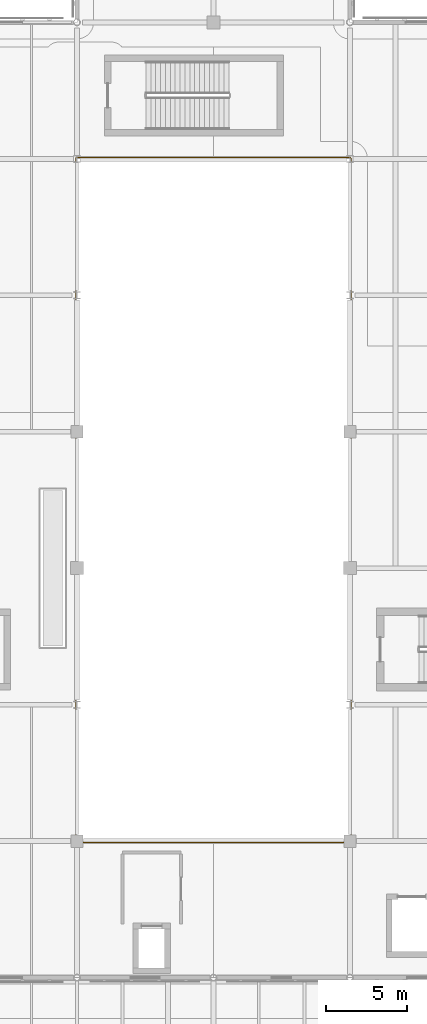
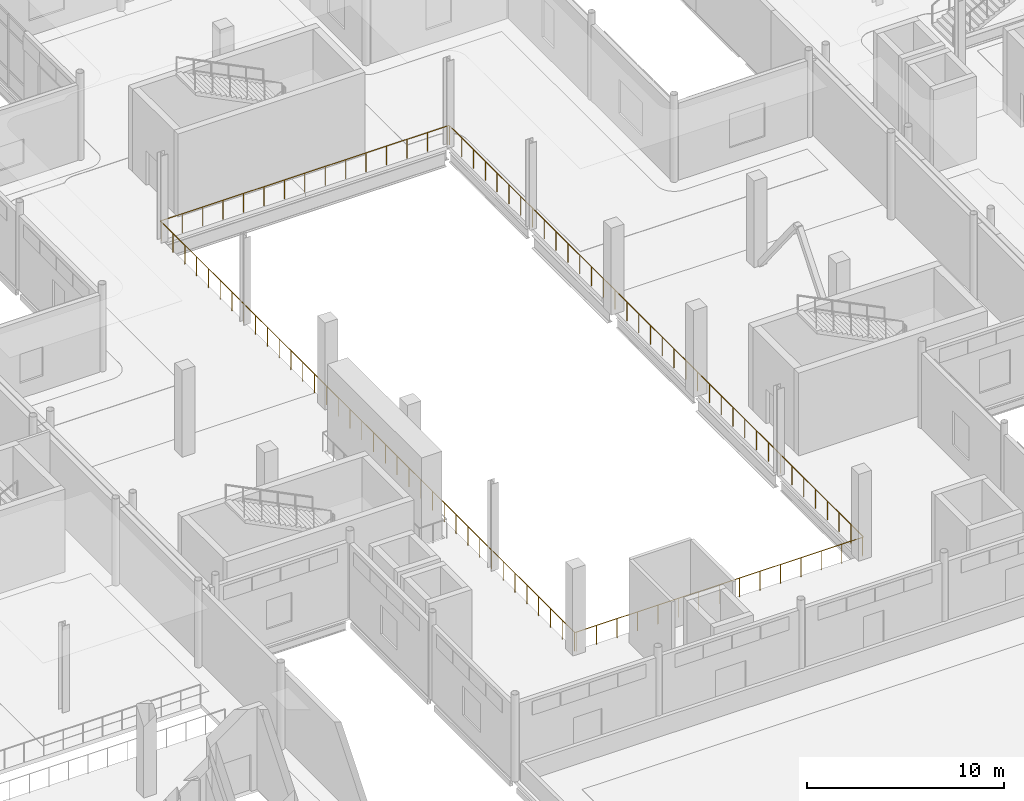
# One storey, part 99 of 110: 1 railing.
"""IFC4 building model written with IfcOpenShell, lengths in metres."""

from ifc_helpers import new_model, si_unit, direction, frame, origin, origin_2d, place, context, subcontext, project, spatial, circle, extrude, material, type_object, element, save


model = new_model("IFC4")

# Units and contexts
model_context = context("Model", 3, precision=1e-05, world=origin(), true_north=direction((0.0, 1.0)))
body_context = subcontext(model_context, "Body", "Model", "MODEL_VIEW")
ifc_project = project(units=[si_unit("LENGTHUNIT", "METRE"), si_unit("AREAUNIT", "SQUARE_METRE"), si_unit("VOLUMEUNIT", "CUBIC_METRE"), si_unit("PLANEANGLEUNIT", "RADIAN"), si_unit("MASSUNIT", "GRAM", prefix="KILO"), si_unit("THERMODYNAMICTEMPERATUREUNIT", "KELVIN")], contexts=[model_context])

# Site, building, storey
site_placement = place(None, origin())
site = spatial("IfcSite", under=ifc_project, at=site_placement, CompositionType="ELEMENT")
building_placement = place(site_placement, origin())
building = spatial("IfcBuilding", under=site, at=building_placement, Name="Lustrewick Department Store", CompositionType="ELEMENT")
storey_placement = place(building_placement, frame((0.0, 0.0, 6.0)))
storey = spatial("IfcBuildingStorey", under=building, at=storey_placement, Name="L02", CompositionType="ELEMENT", Elevation=6.0)

# Railing
ifc_material = material(Name="Laminated safety glass and bronze atrium balustrade", Category="glass")
railing_type = type_object("IfcRailingType", Name="RL-BAL", PredefinedType="BALUSTRADE", material=ifc_material)
railing_placement = place(storey_placement, frame((92.39990234375, 50.320068359375, 0.0)))
element("IfcRailing", 1, at=railing_placement, inside=storey, type_object=railing_type, Name="L02 Arcade Gallery Balustrade 0014", PredefinedType="BALUSTRADE", context=body_context, shape_type="SweptSolid", body=[
    extrude(circle(Radius=0.02392578125, at=origin_2d()), frame((0.0, 0.0, 1.17578125), z_axis=(-1.0, 0.0, 0.0), x_axis=(0.0, -1.0, 0.0)), (0.0, 0.0, 1.0), 16.7998046875),
    extrude(circle(Radius=0.02392578125, at=origin_2d()), frame((-16.7998046875, 0.0, 1.17578125), z_axis=(-0.999512076087, 0.031234752378, 0.0), x_axis=(-0.031234752378, -0.999512076087, 0.0)), (0.0, 0.0, 1.0), 0.0078125),
    extrude(circle(Radius=0.02392578125, at=origin_2d()), frame((-16.8076171875, 0.000244140625, 1.17578125), z_axis=(-0.988012033751, 0.154376880274, 0.0), x_axis=(-0.154376880274, -0.988012033751, 0.0)), (0.0, 0.0, 1.0), 0.0078125),
    extrude(circle(Radius=0.02392578125, at=origin_2d()), frame((-16.8154296875, 0.00146484375, 1.17578125), z_axis=(-0.968277323709, 0.249878019022, 0.0), x_axis=(-0.249878019022, -0.968277323709, 0.0)), (0.0, 0.0, 1.0), 0.0078125),
    extrude(circle(Radius=0.02392578125, at=origin_2d()), frame((-16.822998046875, 0.00341796875, 1.17578125), z_axis=(-0.942427745481, 0.334409845171, 0.0), x_axis=(-0.334409845171, -0.942427745481, 0.0)), (0.0, 0.0, 1.0), 0.008056640625),
    extrude(circle(Radius=0.02392578125, at=origin_2d()), frame((-16.83056640625, 0.006103515625, 1.17578125), z_axis=(-0.912509324515, 0.409055904093, 0.0), x_axis=(-0.409055904093, -0.912509324515, 0.0)), (0.0, 0.0, 1.0), 0.0078125),
    extrude(circle(Radius=0.02392578125, at=origin_2d()), frame((-16.837646484375, 0.00927734375, 1.17578125), z_axis=(-0.84623284009, 0.532813269686, 0.0), x_axis=(-0.532813269686, -0.84623284009, 0.0)), (0.0, 0.0, 1.0), 0.0078125),
    extrude(circle(Radius=0.02392578125, at=origin_2d()), frame((-16.84423828125, 0.013427734375, 1.17578125), z_axis=(-0.807391122258, 0.590016589342, 0.0), x_axis=(-0.590016589342, -0.807391122258, 0.0)), (0.0, 0.0, 1.0), 0.0078125),
    extrude(circle(Radius=0.02392578125, at=origin_2d()), frame((-16.8505859375, 0.01806640625, 1.17578125), z_axis=(-0.737154140201, 0.675724628517, 0.0), x_axis=(-0.675724628517, -0.737154140201, 0.0)), (0.0, 0.0, 1.0), 0.008056640625),
    extrude(circle(Radius=0.02392578125, at=origin_2d()), frame((-16.8564453125, 0.0234375, 1.17578125), z_axis=(-0.691222645967, 0.722641857148, 0.0), x_axis=(-0.722641857148, -0.691222645967, 0.0)), (0.0, 0.0, 1.0), 0.0078125),
    extrude(circle(Radius=0.02392578125, at=origin_2d()), frame((-16.86181640625, 0.029052734375, 1.17578125), z_axis=(-0.575493406175, 0.817806419301, 0.0), x_axis=(-0.817806419301, -0.575493406175, 0.0)), (0.0, 0.0, 1.0), 0.008056640625),
    extrude(circle(Radius=0.02392578125, at=origin_2d()), frame((-16.866455078125, 0.03564453125, 1.17578125), z_axis=(-0.532813269686, 0.84623284009, 0.0), x_axis=(-0.84623284009, -0.532813269686, 0.0)), (0.0, 0.0, 1.0), 0.0078125),
    extrude(circle(Radius=0.02392578125, at=origin_2d()), frame((-16.87060546875, 0.042236328125, 1.17578125), z_axis=(-0.409055904093, 0.912509324515, 0.0), x_axis=(-0.912509324515, -0.409055904093, 0.0)), (0.0, 0.0, 1.0), 0.0078125),
    extrude(circle(Radius=0.02392578125, at=origin_2d()), frame((-16.873779296875, 0.04931640625, 1.17578125), z_axis=(-0.344254649158, 0.938876315887, 0.0), x_axis=(-0.938876315887, -0.344254649158, 0.0)), (0.0, 0.0, 1.0), 0.0078125),
    extrude(circle(Radius=0.02392578125, at=origin_2d()), frame((-16.87646484375, 0.056640625, 1.17578125), z_axis=(-0.242535625036, 0.970142500145, 0.0), x_axis=(-0.970142500145, -0.242535625036, 0.0)), (0.0, 0.0, 1.0), 0.008056640625),
    extrude(circle(Radius=0.02392578125, at=origin_2d()), frame((-16.87841796875, 0.064453125, 1.17578125), z_axis=(-0.12797133763, 0.991777866634, 0.0), x_axis=(-0.991777866634, -0.12797133763, 0.0)), (0.0, 0.0, 1.0), 0.007568359375),
    extrude(circle(Radius=0.02392578125, at=origin_2d()), frame((-16.87939453125, 0.072021484375, 1.17578125), z_axis=(-0.062378286155, 0.998052578483, 0.0), x_axis=(-0.998052578483, -0.062378286155, 0.0)), (0.0, 0.0, 1.0), 0.0078125),
    extrude(circle(Radius=0.02392578125, at=origin_2d()), frame((-16.8798828125, 0.079833984375, 1.17578125), z_axis=(0.0, 1.0, 0.0), x_axis=(-1.0, 0.0, 0.0)), (0.0, 0.0, 1.0), 42.0),
    extrude(circle(Radius=0.02392578125, at=origin_2d()), frame((-16.8798828125, 42.079833984375, 1.17578125), z_axis=(0.062378286155, 0.998052578483, 0.0), x_axis=(-0.998052578483, 0.062378286155, 0.0)), (0.0, 0.0, 1.0), 0.0078125),
    extrude(circle(Radius=0.02392578125, at=origin_2d()), frame((-16.87939453125, 42.087646484375, 1.17578125), z_axis=(0.124034734589, 0.992277876714, 0.0), x_axis=(-0.992277876714, 0.124034734589, 0.0)), (0.0, 0.0, 1.0), 0.0078125),
    extrude(circle(Radius=0.02392578125, at=origin_2d()), frame((-16.87841796875, 42.095458984375, 1.17578125), z_axis=(0.249878019022, 0.968277323709, 0.0), x_axis=(-0.968277323709, 0.249878019022, 0.0)), (0.0, 0.0, 1.0), 0.0078125),
    extrude(circle(Radius=0.02392578125, at=origin_2d()), frame((-16.87646484375, 42.10302734375, 1.17578125), z_axis=(0.334409845171, 0.942427745481, 0.0), x_axis=(-0.942427745481, 0.334409845171, 0.0)), (0.0, 0.0, 1.0), 0.008056640625),
    extrude(circle(Radius=0.02392578125, at=origin_2d()), frame((-16.873779296875, 42.110595703125, 1.17578125), z_axis=(0.409055904093, 0.912509324515, 0.0), x_axis=(-0.912509324515, 0.409055904093, 0.0)), (0.0, 0.0, 1.0), 0.0078125),
    extrude(circle(Radius=0.02392578125, at=origin_2d()), frame((-16.87060546875, 42.11767578125, 1.17578125), z_axis=(0.532813269686, 0.84623284009, 0.0), x_axis=(-0.84623284009, 0.532813269686, 0.0)), (0.0, 0.0, 1.0), 0.0078125),
    extrude(circle(Radius=0.02392578125, at=origin_2d()), frame((-16.866455078125, 42.124267578125, 1.17578125), z_axis=(0.590016589342, 0.807391122258, 0.0), x_axis=(-0.807391122258, 0.590016589342, 0.0)), (0.0, 0.0, 1.0), 0.0078125),
    extrude(circle(Radius=0.02392578125, at=origin_2d()), frame((-16.86181640625, 42.130615234375, 1.17578125), z_axis=(0.675724628517, 0.737154140201, 0.0), x_axis=(-0.737154140201, 0.675724628517, 0.0)), (0.0, 0.0, 1.0), 0.008056640625),
    extrude(circle(Radius=0.02392578125, at=origin_2d()), frame((-16.8564453125, 42.136474609375, 1.17578125), z_axis=(0.737154140201, 0.675724628517, 0.0), x_axis=(-0.675724628517, 0.737154140201, 0.0)), (0.0, 0.0, 1.0), 0.008056640625),
    extrude(circle(Radius=0.02392578125, at=origin_2d()), frame((-16.8505859375, 42.141845703125, 1.17578125), z_axis=(0.807391122258, 0.590016589342, 0.0), x_axis=(-0.590016589342, 0.807391122258, 0.0)), (0.0, 0.0, 1.0), 0.0078125),
    extrude(circle(Radius=0.02392578125, at=origin_2d()), frame((-16.84423828125, 42.146484375, 1.17578125), z_axis=(0.84623284009, 0.532813269686, 0.0), x_axis=(-0.532813269686, 0.84623284009, 0.0)), (0.0, 0.0, 1.0), 0.0078125),
    extrude(circle(Radius=0.02392578125, at=origin_2d()), frame((-16.837646484375, 42.150634765625, 1.17578125), z_axis=(0.912509324515, 0.409055904093, 0.0), x_axis=(-0.409055904093, 0.912509324515, 0.0)), (0.0, 0.0, 1.0), 0.0078125),
    extrude(circle(Radius=0.02392578125, at=origin_2d()), frame((-16.83056640625, 42.15380859375, 1.17578125), z_axis=(0.942427745481, 0.334409845171, 0.0), x_axis=(-0.334409845171, 0.942427745481, 0.0)), (0.0, 0.0, 1.0), 0.008056640625),
    extrude(circle(Radius=0.02392578125, at=origin_2d()), frame((-16.822998046875, 42.156494140625, 1.17578125), z_axis=(0.968277323709, 0.249878019022, 0.0), x_axis=(-0.249878019022, 0.968277323709, 0.0)), (0.0, 0.0, 1.0), 0.0078125),
    extrude(circle(Radius=0.02392578125, at=origin_2d()), frame((-16.8154296875, 42.158447265625, 1.17578125), z_axis=(0.992277876714, 0.124034734589, 0.0), x_axis=(-0.124034734589, 0.992277876714, 0.0)), (0.0, 0.0, 1.0), 0.0078125),
    extrude(circle(Radius=0.02392578125, at=origin_2d()), frame((-16.8076171875, 42.159423828125, 1.17578125), z_axis=(0.998052578483, 0.062378286155, 0.0), x_axis=(-0.062378286155, 0.998052578483, 0.0)), (0.0, 0.0, 1.0), 0.0078125),
    extrude(circle(Radius=0.02392578125, at=origin_2d()), frame((-16.7998046875, 42.159912109375, 1.17578125), z_axis=(1.0, 0.0, 0.0), x_axis=(0.0, 1.0, 0.0)), (0.0, 0.0, 1.0), 16.7998046875),
    extrude(circle(Radius=0.02392578125, at=origin_2d()), frame((0.0, 42.159912109375, 1.17578125), z_axis=(0.998052578483, -0.062378286155, 0.0), x_axis=(0.062378286155, 0.998052578483, 0.0)), (0.0, 0.0, 1.0), 0.0078125),
    extrude(circle(Radius=0.02392578125, at=origin_2d()), frame((0.0078125, 42.159423828125, 1.17578125), z_axis=(0.992277876714, -0.124034734589, 0.0), x_axis=(0.124034734589, 0.992277876714, 0.0)), (0.0, 0.0, 1.0), 0.0078125),
    extrude(circle(Radius=0.02392578125, at=origin_2d()), frame((0.015625, 42.158447265625, 1.17578125), z_axis=(0.968277323709, -0.249878019022, 0.0), x_axis=(0.249878019022, 0.968277323709, 0.0)), (0.0, 0.0, 1.0), 0.0078125),
    extrude(circle(Radius=0.02392578125, at=origin_2d()), frame((0.023193359375, 42.156494140625, 1.17578125), z_axis=(0.942427745481, -0.334409845171, 0.0), x_axis=(0.334409845171, 0.942427745481, 0.0)), (0.0, 0.0, 1.0), 0.008056640625),
    extrude(circle(Radius=0.02392578125, at=origin_2d()), frame((0.03076171875, 42.15380859375, 1.17578125), z_axis=(0.912509324515, -0.409055904093, 0.0), x_axis=(0.409055904093, 0.912509324515, 0.0)), (0.0, 0.0, 1.0), 0.0078125),
    extrude(circle(Radius=0.02392578125, at=origin_2d()), frame((0.037841796875, 42.150634765625, 1.17578125), z_axis=(0.84623284009, -0.532813269686, 0.0), x_axis=(0.532813269686, 0.84623284009, 0.0)), (0.0, 0.0, 1.0), 0.0078125),
    extrude(circle(Radius=0.02392578125, at=origin_2d()), frame((0.04443359375, 42.146484375, 1.17578125), z_axis=(0.807391122258, -0.590016589342, 0.0), x_axis=(0.590016589342, 0.807391122258, 0.0)), (0.0, 0.0, 1.0), 0.0078125),
    extrude(circle(Radius=0.02392578125, at=origin_2d()), frame((0.05078125, 42.141845703125, 1.17578125), z_axis=(0.737154140201, -0.675724628517, 0.0), x_axis=(0.675724628517, 0.737154140201, 0.0)), (0.0, 0.0, 1.0), 0.008056640625),
    extrude(circle(Radius=0.02392578125, at=origin_2d()), frame((0.056640625, 42.136474609375, 1.17578125), z_axis=(0.675724628517, -0.737154140201, 0.0), x_axis=(0.737154140201, 0.675724628517, 0.0)), (0.0, 0.0, 1.0), 0.008056640625),
    extrude(circle(Radius=0.02392578125, at=origin_2d()), frame((0.06201171875, 42.130615234375, 1.17578125), z_axis=(0.590016589342, -0.807391122258, 0.0), x_axis=(0.807391122258, 0.590016589342, 0.0)), (0.0, 0.0, 1.0), 0.0078125),
    extrude(circle(Radius=0.02392578125, at=origin_2d()), frame((0.066650390625, 42.124267578125, 1.17578125), z_axis=(0.532813269686, -0.84623284009, 0.0), x_axis=(0.84623284009, 0.532813269686, 0.0)), (0.0, 0.0, 1.0), 0.0078125),
    extrude(circle(Radius=0.02392578125, at=origin_2d()), frame((0.07080078125, 42.11767578125, 1.17578125), z_axis=(0.409055904093, -0.912509324515, 0.0), x_axis=(0.912509324515, 0.409055904093, 0.0)), (0.0, 0.0, 1.0), 0.0078125),
    extrude(circle(Radius=0.02392578125, at=origin_2d()), frame((0.073974609375, 42.110595703125, 1.17578125), z_axis=(0.334409845171, -0.942427745481, 0.0), x_axis=(0.942427745481, 0.334409845171, 0.0)), (0.0, 0.0, 1.0), 0.008056640625),
    extrude(circle(Radius=0.02392578125, at=origin_2d()), frame((0.07666015625, 42.10302734375, 1.17578125), z_axis=(0.249878019022, -0.968277323709, 0.0), x_axis=(0.968277323709, 0.249878019022, 0.0)), (0.0, 0.0, 1.0), 0.0078125),
    extrude(circle(Radius=0.02392578125, at=origin_2d()), frame((0.07861328125, 42.095458984375, 1.17578125), z_axis=(0.124034734589, -0.992277876714, 0.0), x_axis=(0.992277876714, 0.124034734589, 0.0)), (0.0, 0.0, 1.0), 0.0078125),
    extrude(circle(Radius=0.02392578125, at=origin_2d()), frame((0.07958984375, 42.087646484375, 1.17578125), z_axis=(0.062378286155, -0.998052578483, 0.0), x_axis=(0.998052578483, 0.062378286155, 0.0)), (0.0, 0.0, 1.0), 0.0078125),
    extrude(circle(Radius=0.02392578125, at=origin_2d()), frame((0.080078125, 42.079833984375, 1.17578125), z_axis=(0.0, -1.0, 0.0), x_axis=(1.0, 0.0, 0.0)), (0.0, 0.0, 1.0), 42.0),
    extrude(circle(Radius=0.02392578125, at=origin_2d()), frame((0.080078125, 0.079833984375, 1.17578125), z_axis=(-0.062378286155, -0.998052578483, 0.0), x_axis=(0.998052578483, -0.062378286155, 0.0)), (0.0, 0.0, 1.0), 0.0078125),
    extrude(circle(Radius=0.02392578125, at=origin_2d()), frame((0.07958984375, 0.072021484375, 1.17578125), z_axis=(-0.12797133763, -0.991777866634, 0.0), x_axis=(0.991777866634, -0.12797133763, 0.0)), (0.0, 0.0, 1.0), 0.007568359375),
    extrude(circle(Radius=0.02392578125, at=origin_2d()), frame((0.07861328125, 0.064453125, 1.17578125), z_axis=(-0.242535625036, -0.970142500145, 0.0), x_axis=(0.970142500145, -0.242535625036, 0.0)), (0.0, 0.0, 1.0), 0.008056640625),
    extrude(circle(Radius=0.02392578125, at=origin_2d()), frame((0.07666015625, 0.056640625, 1.17578125), z_axis=(-0.344254649158, -0.938876315887, 0.0), x_axis=(0.938876315887, -0.344254649158, 0.0)), (0.0, 0.0, 1.0), 0.0078125),
    extrude(circle(Radius=0.02392578125, at=origin_2d()), frame((0.073974609375, 0.04931640625, 1.17578125), z_axis=(-0.409055904093, -0.912509324515, 0.0), x_axis=(0.912509324515, -0.409055904093, 0.0)), (0.0, 0.0, 1.0), 0.0078125),
    extrude(circle(Radius=0.02392578125, at=origin_2d()), frame((0.07080078125, 0.042236328125, 1.17578125), z_axis=(-0.532813269686, -0.84623284009, 0.0), x_axis=(0.84623284009, -0.532813269686, 0.0)), (0.0, 0.0, 1.0), 0.0078125),
    extrude(circle(Radius=0.02392578125, at=origin_2d()), frame((0.066650390625, 0.03564453125, 1.17578125), z_axis=(-0.575493406175, -0.817806419301, 0.0), x_axis=(0.817806419301, -0.575493406175, 0.0)), (0.0, 0.0, 1.0), 0.008056640625),
    extrude(circle(Radius=0.02392578125, at=origin_2d()), frame((0.06201171875, 0.029052734375, 1.17578125), z_axis=(-0.691222645967, -0.722641857148, 0.0), x_axis=(0.722641857148, -0.691222645967, 0.0)), (0.0, 0.0, 1.0), 0.0078125),
    extrude(circle(Radius=0.02392578125, at=origin_2d()), frame((0.056640625, 0.0234375, 1.17578125), z_axis=(-0.737154140201, -0.675724628517, 0.0), x_axis=(0.675724628517, -0.737154140201, 0.0)), (0.0, 0.0, 1.0), 0.008056640625),
    extrude(circle(Radius=0.02392578125, at=origin_2d()), frame((0.05078125, 0.01806640625, 1.17578125), z_axis=(-0.807391122258, -0.590016589342, 0.0), x_axis=(0.590016589342, -0.807391122258, 0.0)), (0.0, 0.0, 1.0), 0.0078125),
    extrude(circle(Radius=0.02392578125, at=origin_2d()), frame((0.04443359375, 0.013427734375, 1.17578125), z_axis=(-0.84623284009, -0.532813269686, 0.0), x_axis=(0.532813269686, -0.84623284009, 0.0)), (0.0, 0.0, 1.0), 0.0078125),
    extrude(circle(Radius=0.02392578125, at=origin_2d()), frame((0.037841796875, 0.00927734375, 1.17578125), z_axis=(-0.912509324515, -0.409055904093, 0.0), x_axis=(0.409055904093, -0.912509324515, 0.0)), (0.0, 0.0, 1.0), 0.0078125),
    extrude(circle(Radius=0.02392578125, at=origin_2d()), frame((0.03076171875, 0.006103515625, 1.17578125), z_axis=(-0.942427745481, -0.334409845171, 0.0), x_axis=(0.334409845171, -0.942427745481, 0.0)), (0.0, 0.0, 1.0), 0.008056640625),
    extrude(circle(Radius=0.02392578125, at=origin_2d()), frame((0.023193359375, 0.00341796875, 1.17578125), z_axis=(-0.968277323709, -0.249878019022, 0.0), x_axis=(0.249878019022, -0.968277323709, 0.0)), (0.0, 0.0, 1.0), 0.0078125),
    extrude(circle(Radius=0.02392578125, at=origin_2d()), frame((0.015625, 0.00146484375, 1.17578125), z_axis=(-0.988012033751, -0.154376880274, 0.0), x_axis=(0.154376880274, -0.988012033751, 0.0)), (0.0, 0.0, 1.0), 0.0078125),
    extrude(circle(Radius=0.02392578125, at=origin_2d()), frame((0.0078125, 0.000244140625, 1.17578125), z_axis=(-0.999512076087, -0.031234752378, 0.0), x_axis=(0.031234752378, -0.999512076087, 0.0)), (0.0, 0.0, 1.0), 0.0078125),
    extrude(circle(Radius=0.02099609375, at=origin_2d()), origin(), (0.0, 0.0, 1.0), 1.15185546875),
    extrude(circle(Radius=0.02099609375, at=origin_2d()), frame((-1.199951171875, 0.0, 0.0)), (0.0, 0.0, 1.0), 1.15185546875),
    extrude(circle(Radius=0.02099609375, at=origin_2d()), frame((-2.39990234375, 0.0, 0.0)), (0.0, 0.0, 1.0), 1.15185546875),
    extrude(circle(Radius=0.02099609375, at=origin_2d()), frame((-3.599853515625, 0.0, 0.0)), (0.0, 0.0, 1.0), 1.15185546875),
    extrude(circle(Radius=0.02099609375, at=origin_2d()), frame((-4.800048828125, 0.0, 0.0)), (0.0, 0.0, 1.0), 1.15185546875),
    extrude(circle(Radius=0.02099609375, at=origin_2d()), frame((-6.0, 0.0, 0.0)), (0.0, 0.0, 1.0), 1.15185546875),
    extrude(circle(Radius=0.02099609375, at=origin_2d()), frame((-7.199951171875, 0.0, 0.0)), (0.0, 0.0, 1.0), 1.15185546875),
    extrude(circle(Radius=0.02099609375, at=origin_2d()), frame((-8.39990234375, 0.0, 0.0)), (0.0, 0.0, 1.0), 1.15185546875),
    extrude(circle(Radius=0.02099609375, at=origin_2d()), frame((-9.599853515625, 0.0, 0.0)), (0.0, 0.0, 1.0), 1.15185546875),
    extrude(circle(Radius=0.02099609375, at=origin_2d()), frame((-10.7998046875, 0.0, 0.0)), (0.0, 0.0, 1.0), 1.15185546875),
    extrude(circle(Radius=0.02099609375, at=origin_2d()), frame((-11.999755859375, 0.0, 0.0)), (0.0, 0.0, 1.0), 1.15185546875),
    extrude(circle(Radius=0.02099609375, at=origin_2d()), frame((-13.199951171875, 0.0, 0.0)), (0.0, 0.0, 1.0), 1.15185546875),
    extrude(circle(Radius=0.02099609375, at=origin_2d()), frame((-14.39990234375, 0.0, 0.0)), (0.0, 0.0, 1.0), 1.15185546875),
    extrude(circle(Radius=0.02099609375, at=origin_2d()), frame((-15.599853515625, 0.0, 0.0)), (0.0, 0.0, 1.0), 1.15185546875),
    extrude(circle(Radius=0.02099609375, at=origin_2d()), frame((-16.7998046875, 0.0, 0.0)), (0.0, 0.0, 1.0), 1.15185546875),
    extrude(circle(Radius=0.02099609375, at=origin_2d()), frame((-16.87060546875, 0.042236328125, 0.0)), (0.0, 0.0, 1.0), 1.15185546875),
    extrude(circle(Radius=0.02099609375, at=origin_2d()), frame((-16.8798828125, 1.27978515625, 0.0)), (0.0, 0.0, 1.0), 1.15185546875),
    extrude(circle(Radius=0.02099609375, at=origin_2d()), frame((-16.8798828125, 2.479736328125, 0.0)), (0.0, 0.0, 1.0), 1.15185546875),
    extrude(circle(Radius=0.02099609375, at=origin_2d()), frame((-16.8798828125, 3.679931640625, 0.0)), (0.0, 0.0, 1.0), 1.15185546875),
    extrude(circle(Radius=0.02099609375, at=origin_2d()), frame((-16.8798828125, 4.8798828125, 0.0)), (0.0, 0.0, 1.0), 1.15185546875),
    extrude(circle(Radius=0.02099609375, at=origin_2d()), frame((-16.8798828125, 6.079833984375, 0.0)), (0.0, 0.0, 1.0), 1.15185546875),
    extrude(circle(Radius=0.02099609375, at=origin_2d()), frame((-16.8798828125, 7.27978515625, 0.0)), (0.0, 0.0, 1.0), 1.15185546875),
    extrude(circle(Radius=0.02099609375, at=origin_2d()), frame((-16.8798828125, 8.479736328125, 0.0)), (0.0, 0.0, 1.0), 1.15185546875),
    extrude(circle(Radius=0.02099609375, at=origin_2d()), frame((-16.8798828125, 9.679931640625, 0.0)), (0.0, 0.0, 1.0), 1.15185546875),
    extrude(circle(Radius=0.02099609375, at=origin_2d()), frame((-16.8798828125, 10.8798828125, 0.0)), (0.0, 0.0, 1.0), 1.15185546875),
    extrude(circle(Radius=0.02099609375, at=origin_2d()), frame((-16.8798828125, 12.079833984375, 0.0)), (0.0, 0.0, 1.0), 1.15185546875),
    extrude(circle(Radius=0.02099609375, at=origin_2d()), frame((-16.8798828125, 13.27978515625, 0.0)), (0.0, 0.0, 1.0), 1.15185546875),
    extrude(circle(Radius=0.02099609375, at=origin_2d()), frame((-16.8798828125, 14.479736328125, 0.0)), (0.0, 0.0, 1.0), 1.15185546875),
    extrude(circle(Radius=0.02099609375, at=origin_2d()), frame((-16.8798828125, 15.679931640625, 0.0)), (0.0, 0.0, 1.0), 1.15185546875),
    extrude(circle(Radius=0.02099609375, at=origin_2d()), frame((-16.8798828125, 16.8798828125, 0.0)), (0.0, 0.0, 1.0), 1.15185546875),
    extrude(circle(Radius=0.02099609375, at=origin_2d()), frame((-16.8798828125, 18.079833984375, 0.0)), (0.0, 0.0, 1.0), 1.15185546875),
    extrude(circle(Radius=0.02099609375, at=origin_2d()), frame((-16.8798828125, 19.27978515625, 0.0)), (0.0, 0.0, 1.0), 1.15185546875),
    extrude(circle(Radius=0.02099609375, at=origin_2d()), frame((-16.8798828125, 20.479736328125, 0.0)), (0.0, 0.0, 1.0), 1.15185546875),
    extrude(circle(Radius=0.02099609375, at=origin_2d()), frame((-16.8798828125, 21.679931640625, 0.0)), (0.0, 0.0, 1.0), 1.15185546875),
    extrude(circle(Radius=0.02099609375, at=origin_2d()), frame((-16.8798828125, 22.8798828125, 0.0)), (0.0, 0.0, 1.0), 1.15185546875),
    extrude(circle(Radius=0.02099609375, at=origin_2d()), frame((-16.8798828125, 24.079833984375, 0.0)), (0.0, 0.0, 1.0), 1.15185546875),
    extrude(circle(Radius=0.02099609375, at=origin_2d()), frame((-16.8798828125, 25.27978515625, 0.0)), (0.0, 0.0, 1.0), 1.15185546875),
    extrude(circle(Radius=0.02099609375, at=origin_2d()), frame((-16.8798828125, 26.479736328125, 0.0)), (0.0, 0.0, 1.0), 1.15185546875),
    extrude(circle(Radius=0.02099609375, at=origin_2d()), frame((-16.8798828125, 27.679931640625, 0.0)), (0.0, 0.0, 1.0), 1.15185546875),
    extrude(circle(Radius=0.02099609375, at=origin_2d()), frame((-16.8798828125, 28.8798828125, 0.0)), (0.0, 0.0, 1.0), 1.15185546875),
    extrude(circle(Radius=0.02099609375, at=origin_2d()), frame((-16.8798828125, 30.079833984375, 0.0)), (0.0, 0.0, 1.0), 1.15185546875),
    extrude(circle(Radius=0.02099609375, at=origin_2d()), frame((-16.8798828125, 31.27978515625, 0.0)), (0.0, 0.0, 1.0), 1.15185546875),
    extrude(circle(Radius=0.02099609375, at=origin_2d()), frame((-16.8798828125, 32.479736328125, 0.0)), (0.0, 0.0, 1.0), 1.15185546875),
    extrude(circle(Radius=0.02099609375, at=origin_2d()), frame((-16.8798828125, 33.679931640625, 0.0)), (0.0, 0.0, 1.0), 1.15185546875),
    extrude(circle(Radius=0.02099609375, at=origin_2d()), frame((-16.8798828125, 34.8798828125, 0.0)), (0.0, 0.0, 1.0), 1.15185546875),
    extrude(circle(Radius=0.02099609375, at=origin_2d()), frame((-16.8798828125, 36.079833984375, 0.0)), (0.0, 0.0, 1.0), 1.15185546875),
    extrude(circle(Radius=0.02099609375, at=origin_2d()), frame((-16.8798828125, 37.27978515625, 0.0)), (0.0, 0.0, 1.0), 1.15185546875),
    extrude(circle(Radius=0.02099609375, at=origin_2d()), frame((-16.8798828125, 38.479736328125, 0.0)), (0.0, 0.0, 1.0), 1.15185546875),
    extrude(circle(Radius=0.02099609375, at=origin_2d()), frame((-16.8798828125, 39.679931640625, 0.0)), (0.0, 0.0, 1.0), 1.15185546875),
    extrude(circle(Radius=0.02099609375, at=origin_2d()), frame((-16.8798828125, 40.8798828125, 0.0)), (0.0, 0.0, 1.0), 1.15185546875),
    extrude(circle(Radius=0.02099609375, at=origin_2d()), frame((-16.8798828125, 42.079833984375, 0.0)), (0.0, 0.0, 1.0), 1.15185546875),
    extrude(circle(Radius=0.02099609375, at=origin_2d()), frame((-16.837646484375, 42.150634765625, 0.0)), (0.0, 0.0, 1.0), 1.15185546875),
    extrude(circle(Radius=0.02099609375, at=origin_2d()), frame((-15.599853515625, 42.159912109375, 0.0)), (0.0, 0.0, 1.0), 1.15185546875),
    extrude(circle(Radius=0.02099609375, at=origin_2d()), frame((-14.39990234375, 42.159912109375, 0.0)), (0.0, 0.0, 1.0), 1.15185546875),
    extrude(circle(Radius=0.02099609375, at=origin_2d()), frame((-13.199951171875, 42.159912109375, 0.0)), (0.0, 0.0, 1.0), 1.15185546875),
    extrude(circle(Radius=0.02099609375, at=origin_2d()), frame((-11.999755859375, 42.159912109375, 0.0)), (0.0, 0.0, 1.0), 1.15185546875),
    extrude(circle(Radius=0.02099609375, at=origin_2d()), frame((-10.7998046875, 42.159912109375, 0.0)), (0.0, 0.0, 1.0), 1.15185546875),
    extrude(circle(Radius=0.02099609375, at=origin_2d()), frame((-9.599853515625, 42.159912109375, 0.0)), (0.0, 0.0, 1.0), 1.15185546875),
    extrude(circle(Radius=0.02099609375, at=origin_2d()), frame((-8.39990234375, 42.159912109375, 0.0)), (0.0, 0.0, 1.0), 1.15185546875),
    extrude(circle(Radius=0.02099609375, at=origin_2d()), frame((-7.199951171875, 42.159912109375, 0.0)), (0.0, 0.0, 1.0), 1.15185546875),
    extrude(circle(Radius=0.02099609375, at=origin_2d()), frame((-6.0, 42.159912109375, 0.0)), (0.0, 0.0, 1.0), 1.15185546875),
    extrude(circle(Radius=0.02099609375, at=origin_2d()), frame((-4.800048828125, 42.159912109375, 0.0)), (0.0, 0.0, 1.0), 1.15185546875),
    extrude(circle(Radius=0.02099609375, at=origin_2d()), frame((-3.599853515625, 42.159912109375, 0.0)), (0.0, 0.0, 1.0), 1.15185546875),
    extrude(circle(Radius=0.02099609375, at=origin_2d()), frame((-2.39990234375, 42.159912109375, 0.0)), (0.0, 0.0, 1.0), 1.15185546875),
    extrude(circle(Radius=0.02099609375, at=origin_2d()), frame((-1.199951171875, 42.159912109375, 0.0)), (0.0, 0.0, 1.0), 1.15185546875),
    extrude(circle(Radius=0.02099609375, at=origin_2d()), frame((0.0, 42.159912109375, 0.0)), (0.0, 0.0, 1.0), 1.15185546875),
    extrude(circle(Radius=0.02099609375, at=origin_2d()), frame((0.07080078125, 42.11767578125, 0.0)), (0.0, 0.0, 1.0), 1.15185546875),
    extrude(circle(Radius=0.02099609375, at=origin_2d()), frame((0.080078125, 40.8798828125, 0.0)), (0.0, 0.0, 1.0), 1.15185546875),
    extrude(circle(Radius=0.02099609375, at=origin_2d()), frame((0.080078125, 39.679931640625, 0.0)), (0.0, 0.0, 1.0), 1.15185546875),
    extrude(circle(Radius=0.02099609375, at=origin_2d()), frame((0.080078125, 38.479736328125, 0.0)), (0.0, 0.0, 1.0), 1.15185546875),
    extrude(circle(Radius=0.02099609375, at=origin_2d()), frame((0.080078125, 37.27978515625, 0.0)), (0.0, 0.0, 1.0), 1.15185546875),
    extrude(circle(Radius=0.02099609375, at=origin_2d()), frame((0.080078125, 36.079833984375, 0.0)), (0.0, 0.0, 1.0), 1.15185546875),
    extrude(circle(Radius=0.02099609375, at=origin_2d()), frame((0.080078125, 34.8798828125, 0.0)), (0.0, 0.0, 1.0), 1.15185546875),
    extrude(circle(Radius=0.02099609375, at=origin_2d()), frame((0.080078125, 33.679931640625, 0.0)), (0.0, 0.0, 1.0), 1.15185546875),
    extrude(circle(Radius=0.02099609375, at=origin_2d()), frame((0.080078125, 32.479736328125, 0.0)), (0.0, 0.0, 1.0), 1.15185546875),
    extrude(circle(Radius=0.02099609375, at=origin_2d()), frame((0.080078125, 31.27978515625, 0.0)), (0.0, 0.0, 1.0), 1.15185546875),
    extrude(circle(Radius=0.02099609375, at=origin_2d()), frame((0.080078125, 30.079833984375, 0.0)), (0.0, 0.0, 1.0), 1.15185546875),
    extrude(circle(Radius=0.02099609375, at=origin_2d()), frame((0.080078125, 28.8798828125, 0.0)), (0.0, 0.0, 1.0), 1.15185546875),
    extrude(circle(Radius=0.02099609375, at=origin_2d()), frame((0.080078125, 27.679931640625, 0.0)), (0.0, 0.0, 1.0), 1.15185546875),
    extrude(circle(Radius=0.02099609375, at=origin_2d()), frame((0.080078125, 26.479736328125, 0.0)), (0.0, 0.0, 1.0), 1.15185546875),
    extrude(circle(Radius=0.02099609375, at=origin_2d()), frame((0.080078125, 25.27978515625, 0.0)), (0.0, 0.0, 1.0), 1.15185546875),
    extrude(circle(Radius=0.02099609375, at=origin_2d()), frame((0.080078125, 24.079833984375, 0.0)), (0.0, 0.0, 1.0), 1.15185546875),
    extrude(circle(Radius=0.02099609375, at=origin_2d()), frame((0.080078125, 22.8798828125, 0.0)), (0.0, 0.0, 1.0), 1.15185546875),
    extrude(circle(Radius=0.02099609375, at=origin_2d()), frame((0.080078125, 21.679931640625, 0.0)), (0.0, 0.0, 1.0), 1.15185546875),
    extrude(circle(Radius=0.02099609375, at=origin_2d()), frame((0.080078125, 20.479736328125, 0.0)), (0.0, 0.0, 1.0), 1.15185546875),
    extrude(circle(Radius=0.02099609375, at=origin_2d()), frame((0.080078125, 19.27978515625, 0.0)), (0.0, 0.0, 1.0), 1.15185546875),
    extrude(circle(Radius=0.02099609375, at=origin_2d()), frame((0.080078125, 18.079833984375, 0.0)), (0.0, 0.0, 1.0), 1.15185546875),
    extrude(circle(Radius=0.02099609375, at=origin_2d()), frame((0.080078125, 16.8798828125, 0.0)), (0.0, 0.0, 1.0), 1.15185546875),
    extrude(circle(Radius=0.02099609375, at=origin_2d()), frame((0.080078125, 15.679931640625, 0.0)), (0.0, 0.0, 1.0), 1.15185546875),
    extrude(circle(Radius=0.02099609375, at=origin_2d()), frame((0.080078125, 14.479736328125, 0.0)), (0.0, 0.0, 1.0), 1.15185546875),
    extrude(circle(Radius=0.02099609375, at=origin_2d()), frame((0.080078125, 13.27978515625, 0.0)), (0.0, 0.0, 1.0), 1.15185546875),
    extrude(circle(Radius=0.02099609375, at=origin_2d()), frame((0.080078125, 12.079833984375, 0.0)), (0.0, 0.0, 1.0), 1.15185546875),
    extrude(circle(Radius=0.02099609375, at=origin_2d()), frame((0.080078125, 10.8798828125, 0.0)), (0.0, 0.0, 1.0), 1.15185546875),
    extrude(circle(Radius=0.02099609375, at=origin_2d()), frame((0.080078125, 9.679931640625, 0.0)), (0.0, 0.0, 1.0), 1.15185546875),
    extrude(circle(Radius=0.02099609375, at=origin_2d()), frame((0.080078125, 8.479736328125, 0.0)), (0.0, 0.0, 1.0), 1.15185546875),
    extrude(circle(Radius=0.02099609375, at=origin_2d()), frame((0.080078125, 7.27978515625, 0.0)), (0.0, 0.0, 1.0), 1.15185546875),
    extrude(circle(Radius=0.02099609375, at=origin_2d()), frame((0.080078125, 6.079833984375, 0.0)), (0.0, 0.0, 1.0), 1.15185546875),
    extrude(circle(Radius=0.02099609375, at=origin_2d()), frame((0.080078125, 4.8798828125, 0.0)), (0.0, 0.0, 1.0), 1.15185546875),
    extrude(circle(Radius=0.02099609375, at=origin_2d()), frame((0.080078125, 3.679931640625, 0.0)), (0.0, 0.0, 1.0), 1.15185546875),
    extrude(circle(Radius=0.02099609375, at=origin_2d()), frame((0.080078125, 2.479736328125, 0.0)), (0.0, 0.0, 1.0), 1.15185546875),
    extrude(circle(Radius=0.02099609375, at=origin_2d()), frame((0.080078125, 1.27978515625, 0.0)), (0.0, 0.0, 1.0), 1.15185546875),
    extrude(circle(Radius=0.02099609375, at=origin_2d()), frame((0.080078125, 0.079833984375, 0.0)), (0.0, 0.0, 1.0), 1.15185546875),
])

save(model, "model.ifc")
